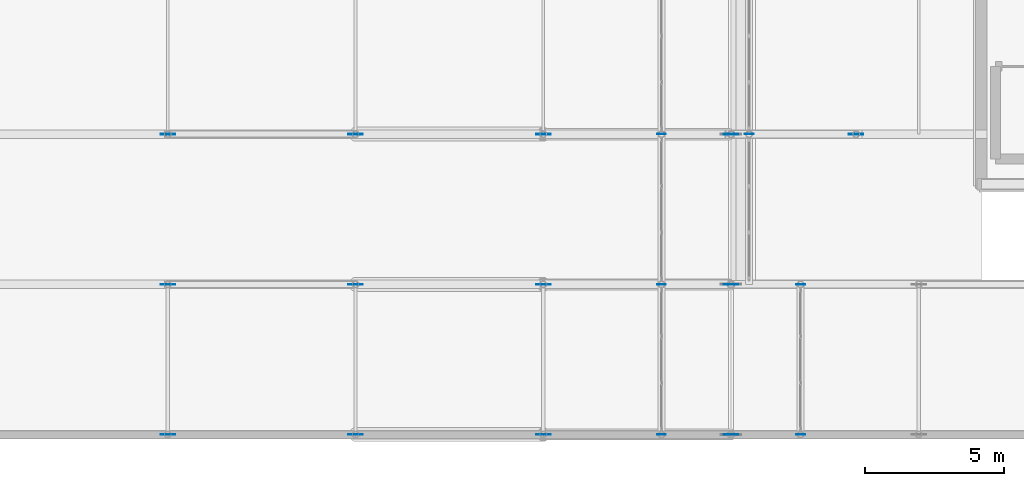
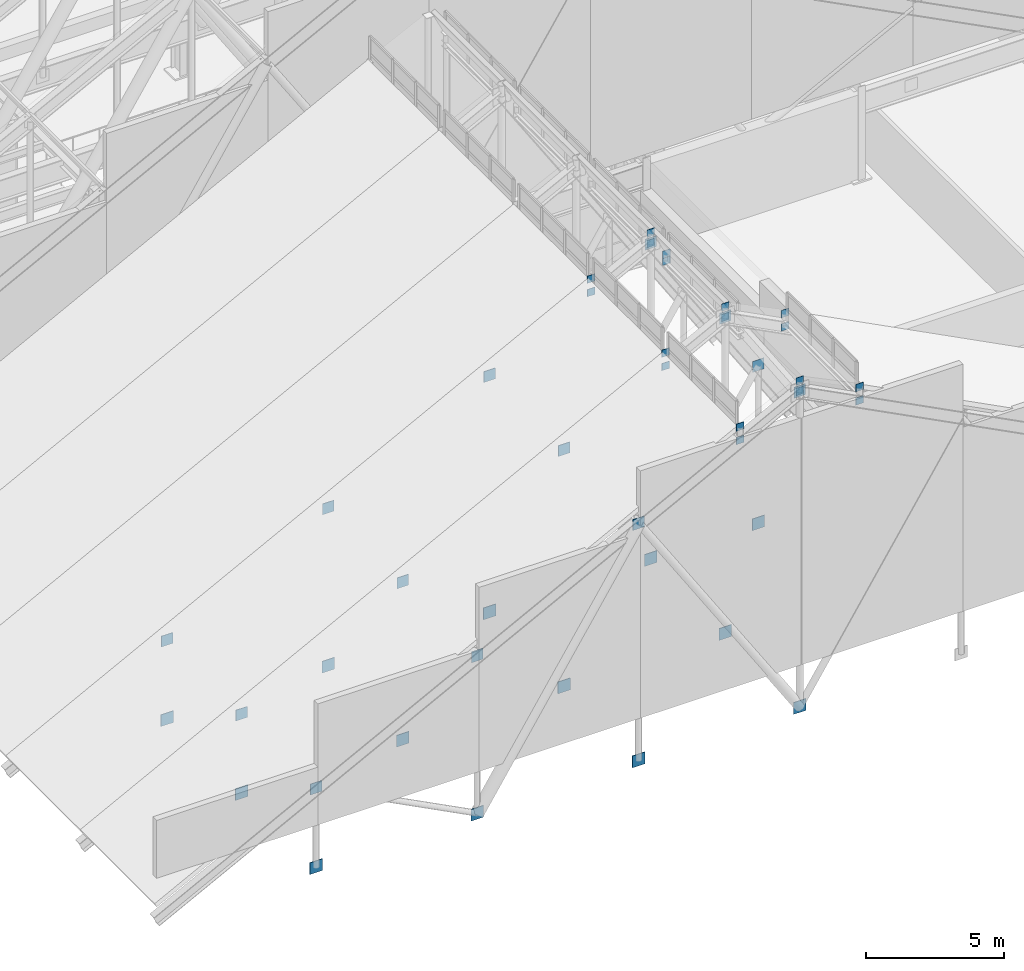
# One storey, part 73 of 84: 44 plates.
"""IFC4 building model written with IfcOpenShell, lengths in metres."""

import ifcopenshell
import ifcopenshell.guid

model = None  # the IFC model being written
_history = None  # IfcOwnerHistory: only IFC2X3 demands one
_inside = {}  # id of a spatial element -> (the spatial element, [elements in it])
_under = {}  # id of a project, library or spatial element -> (it, [spatial elements below it])
_declared = {}  # id of a project -> (the project, [libraries it declares])
_typed = {}  # id of a type object -> (the type object, [elements of that type])
_made_of = {}  # id of a material, layer set ... -> (it, [elements and type objects made of it])


def new_model(schema):
    """Start an empty IFC model of exactly this schema.

    Asked for "IFC4X3", IfcOpenShell would pick the latest addendum, in which some entities
    have other attributes; the version numbers below select the first issue.
    IFC2X3 requires an IfcOwnerHistory on every rooted entity: one is made here for all.
    """
    global model, _history
    if schema == "IFC4X3":
        model = ifcopenshell.file(schema_version=(4, 3, 0, 0))
    else:
        model = ifcopenshell.file(schema=schema)
    _inside.clear()
    _under.clear()
    _declared.clear()
    _typed.clear()
    _made_of.clear()
    _history = None
    if model.schema == "IFC2X3":
        org = make("IfcOrganization", Name="unknown")
        user = make(
            "IfcPersonAndOrganization",
            ThePerson=make("IfcPerson", FamilyName="unknown"),
            TheOrganization=org,
        )
        app = make(
            "IfcApplication",
            ApplicationDeveloper=org,
            Version="unknown",
            ApplicationFullName="unknown",
            ApplicationIdentifier="unknown",
        )
        _history = make(
            "IfcOwnerHistory",
            OwningUser=user,
            OwningApplication=app,
            ChangeAction="ADDED",
            CreationDate=0,
        )
    return model


def make(cls, **values):
    """One entity of the class cls with the attributes given. An attribute that is None is left unset."""
    return model.create_entity(
        cls, **{name: value for name, value in values.items() if value is not None}
    )


def rooted(cls, **values):
    """An entity with a GlobalId (a new one), such as an element, a storey or a relation."""
    return make(cls, GlobalId=ifcopenshell.guid.new(), OwnerHistory=_history, **values)


def si_unit(unit_type, name, prefix=None):
    """IfcSIUnit, for example si_unit("LENGTHUNIT", "METRE", prefix="MILLI")."""
    return make("IfcSIUnit", UnitType=unit_type, Prefix=prefix, Name=name)


def assignment(units):
    """IfcUnitAssignment: the units of a project."""
    return None if units is None else make("IfcUnitAssignment", Units=units)


def point(xyz):
    """IfcCartesianPoint."""
    return None if xyz is None else make("IfcCartesianPoint", Coordinates=xyz)


def direction(xyz):
    """IfcDirection."""
    return None if xyz is None else make("IfcDirection", DirectionRatios=xyz)


def frame(location, z_axis=None, x_axis=None):
    """IfcAxis2Placement3D, a coordinate frame: its origin and axes. An axis left out is left unset."""
    return make(
        "IfcAxis2Placement3D",
        Location=point(location),
        Axis=direction(z_axis),
        RefDirection=direction(x_axis),
    )


def frame_2d(location, x_axis=None):
    """IfcAxis2Placement2D, a coordinate frame in the plane: its origin and x axis."""
    return make(
        "IfcAxis2Placement2D", Location=point(location), RefDirection=direction(x_axis)
    )


def origin():
    """The frame at (0, 0, 0) with its axes left unset."""
    return frame((0.0, 0.0, 0.0))


def origin_2d():
    """The frame at (0, 0) in the plane with its x axis left unset."""
    return frame_2d((0.0, 0.0))


def place(relative_to, where):
    """IfcLocalPlacement: puts the frame where relative to a parent placement (None: the world)."""
    return make(
        "IfcLocalPlacement", PlacementRelTo=relative_to, RelativePlacement=where
    )


def context(
    kind, dimensions, precision=None, world=None, true_north=None, identifier=None
):
    """IfcGeometricRepresentationContext, for example the 3D "Model" context."""
    return make(
        "IfcGeometricRepresentationContext",
        ContextIdentifier=identifier,
        ContextType=kind,
        CoordinateSpaceDimension=dimensions,
        Precision=precision,
        WorldCoordinateSystem=world,
        TrueNorth=true_north,
    )


def subcontext(parent, identifier, kind, view, scale=None):
    """IfcGeometricRepresentationSubContext, for example "Body" below "Model"."""
    return make(
        "IfcGeometricRepresentationSubContext",
        ContextIdentifier=identifier,
        ContextType=kind,
        ParentContext=parent,
        TargetScale=scale,
        TargetView=view,
    )


def project(units=None, contexts=None):
    """IfcProject with its units and contexts."""
    return rooted(
        "IfcProject",
        Name="project",
        RepresentationContexts=contexts,
        UnitsInContext=assignment(units),
    )


def spatial(cls, under=None, at=None, **own):
    """A site, building, storey or space (cls), placed at a placement, below another one or the project."""
    s = rooted(cls, ObjectPlacement=at, **own)
    if under is not None:
        _under.setdefault(under.id(), (under, []))[1].append(s)
    return s


def profile(cls, at=None, kind="AREA", **sizes):
    """A parametric profile (cls). Its sizes go by their IFC names, for example OverallWidth=200.0."""
    return make(cls, ProfileType=kind, Position=at, **sizes)


def rectangle(**sizes):
    """IfcRectangleProfileDef."""
    return profile("IfcRectangleProfileDef", **sizes)


def extrude(swept, where, along, depth):
    """IfcExtrudedAreaSolid: the profile swept, set in the frame where, extruded along a direction by depth."""
    return make(
        "IfcExtrudedAreaSolid",
        SweptArea=swept,
        Position=where,
        ExtrudedDirection=direction(along),
        Depth=depth,
    )


def shape(context_of_items, identifier, shape_type, items):
    """IfcShapeRepresentation: the items that make up one representation, for example the "Body"."""
    return make(
        "IfcShapeRepresentation",
        ContextOfItems=context_of_items,
        RepresentationIdentifier=identifier,
        RepresentationType=shape_type,
        Items=items,
    )


def material(Name=None, Category=None):
    """IfcMaterial."""
    return make("IfcMaterial", Name=Name, Category=Category)


def layer(
    of_material, thickness, ventilated=None, Name=None, Category=None, Priority=None
):
    """IfcMaterialLayer: one layer of a wall or slab, of a material (None: an air gap)."""
    return make(
        "IfcMaterialLayer",
        Material=of_material,
        LayerThickness=thickness,
        IsVentilated=ventilated,
        Name=Name,
        Category=Category,
        Priority=Priority,
    )


def layer_set(layers, Name=None):
    """IfcMaterialLayerSet."""
    return make("IfcMaterialLayerSet", MaterialLayers=layers, LayerSetName=Name)


def made_of(thing, what):
    """Note that an element or type object is made of a material, layer set ...; save() writes the relation."""
    if what is not None:
        _made_of.setdefault(what.id(), (what, []))[1].append(thing)
    return thing


def type_object(cls, material=None, **own):
    """A type object (cls), such as IfcWallType, which elements share."""
    return made_of(rooted(cls, **own), material)


def element(
    cls,
    number,
    at=None,
    inside=None,
    cuts=None,
    type_object=None,
    material=None,
    context=None,
    identifier="Body",
    shape_type=None,
    held_by="IfcProductDefinitionShape",
    body=None,
    shapes=None,
    **own,
):
    """One element of the class cls, such as IfcWall. Its Tag is "e" and its number.

    at: its placement. inside: the storey or other place that contains it. cuts: it is an
    opening in that element (IfcRelVoidsElement). A single representation is given by context,
    identifier, shape_type and body (its items); several are given by shapes. held_by: the class
    of the entity that holds the representations. save() writes the other relations.
    """
    e = rooted(cls, Tag="e%d" % number, ObjectPlacement=at, **own)
    if body is not None:
        shapes = [shape(context, identifier, shape_type, body)]
    if shapes is not None:
        e.Representation = make(held_by, Representations=shapes)
    if inside is not None:
        _inside.setdefault(inside.id(), (inside, []))[1].append(e)
    if cuts is not None:
        rooted(
            "IfcRelVoidsElement", RelatingBuildingElement=cuts, RelatedOpeningElement=e
        )
    if type_object is not None:
        _typed.setdefault(type_object.id(), (type_object, []))[1].append(e)
    return made_of(e, material)


def aggregate(whole, parts):
    """IfcRelAggregates: a whole, such as a stair, and the parts it consists of."""
    return rooted("IfcRelAggregates", RelatingObject=whole, RelatedObjects=parts)


def save(model, path):
    """Write the relations noted so far, then the file.

    IfcRelAggregates (storeys below a building ...), IfcRelContainedInSpatialStructure (elements
    in a storey), IfcRelDefinesByType, IfcRelAssociatesMaterial and IfcRelDeclares: one each for
    every whole, place, type object, material and project.
    """
    for whole, parts in _under.values():
        aggregate(whole, parts)
    for where, things in _inside.values():
        rooted(
            "IfcRelContainedInSpatialStructure",
            RelatedElements=things,
            RelatingStructure=where,
        )
    for kind, things in _typed.values():
        rooted("IfcRelDefinesByType", RelatedObjects=things, RelatingType=kind)
    for what, things in _made_of.values():
        rooted("IfcRelAssociatesMaterial", RelatedObjects=things, RelatingMaterial=what)
    for by, libraries in _declared.values():
        rooted("IfcRelDeclares", RelatingContext=by, RelatedDefinitions=libraries)
    model.write(path)


model = new_model("IFC4")

# Units and contexts
model_context = context("Model", 3, precision=1e-05, world=origin(), true_north=direction((0.0, 1.0)))
body_context = subcontext(model_context, "Body", "Model", "MODEL_VIEW")
ifc_project = project(units=[si_unit("LENGTHUNIT", "METRE"), si_unit("AREAUNIT", "SQUARE_METRE"), si_unit("VOLUMEUNIT", "CUBIC_METRE"), si_unit("PLANEANGLEUNIT", "RADIAN"), si_unit("MASSUNIT", "GRAM", prefix="KILO")], contexts=[model_context])

# Site, building, storey
site_placement = place(None, origin())
site = spatial("IfcSite", under=ifc_project, at=site_placement, CompositionType="ELEMENT")
building_placement = place(site_placement, origin())
building = spatial("IfcBuilding", under=site, at=building_placement, Name="Sundgate Opera House", CompositionType="ELEMENT")
storey_placement = place(building_placement, frame((0.0, 0.0, 30.60009765625)))
storey = spatial("IfcBuildingStorey", under=building, at=storey_placement, Name="L06", CompositionType="ELEMENT", Elevation=30.60009765625)

# Plates
ifc_material_1 = material(Name="Steel S355J2", Category="steel")
ifc_layer_1 = layer(ifc_material_1, 0.02001953125)
ifc_layer_set_1 = layer_set([ifc_layer_1], Name="Steel S355J2")
plate_type_1 = type_object("IfcPlateType", Name="PT-GUS-20", PredefinedType="USERDEFINED", material=ifc_layer_set_1)
for number, where, z_axis, x_axis, name in (
    (1, (51.5, 33.0, 11.7470703125), (0.0, 0.0, 1.0), (1.0, 0.0, 0.0), "L06 Lantern Post Base Gusset"),
    (2, (51.5, 33.0, 12.33984375), (0.0, 0.0, 1.0), (1.0, 0.0, 0.0), "L06 Lantern Post Cap Gusset"),
    (3, (54.0, 33.0, 13.0400390625), (0.0, 0.0, 1.0), (1.0, 0.0, 0.0), "L06 Lantern Post Base Gusset"),
    (4, (54.0, 33.0, 13.5), (0.0, 0.0, 1.0), (1.0, 0.0, 0.0), "L06 Lantern Post Cap Gusset"),
    (5, (56.5, 33.0, 11.7470703125), (0.0, 0.0, 1.0), (1.0, 0.0, 0.0), "L06 Lantern Post Base Gusset"),
    (6, (56.5, 33.0, 12.33984375), (0.0, 0.0, 1.0), (1.0, 0.0, 0.0), "L06 Lantern Post Cap Gusset"),
    (7, (51.5, 38.39990234375, 11.7470703125), (0.0, 0.0, 1.0), (1.0, 0.0, 0.0), "L06 Lantern Post Base Gusset"),
    (8, (51.5, 38.39990234375, 12.33984375), (0.0, 0.0, 1.0), (1.0, 0.0, 0.0), "L06 Lantern Post Cap Gusset"),
    (9, (54.0, 38.39990234375, 13.0400390625), (0.0, 0.0, 1.0), (1.0, 0.0, 0.0), "L06 Lantern Post Base Gusset"),
    (10, (54.0, 38.39990234375, 13.5), (0.0, 0.0, 1.0), (1.0, 0.0, 0.0), "L06 Lantern Post Cap Gusset"),
    (11, (56.5, 38.39990234375, 11.7470703125), (0.0, 0.0, 1.0), (1.0, 0.0, 0.0), "L06 Lantern Post Base Gusset"),
    (12, (56.5, 38.39990234375, 12.33984375), (0.0, 0.0, 1.0), (1.0, 0.0, 0.0), "L06 Lantern Post Cap Gusset"),
    (13, (51.5, 43.800048828125, 11.7470703125), (0.0, 0.0, 1.0), (1.0, 0.0, 0.0), "L06 Lantern Post Base Gusset"),
    (14, (51.5, 43.800048828125, 12.33984375), (0.0, 0.0, 1.0), (1.0, 0.0, 0.0), "L06 Lantern Post Cap Gusset"),
    (15, (54.0, 43.800048828125, 13.0400390625), (0.0, 0.0, 1.0), (1.0, 0.0, 0.0), "L06 Lantern Post Base Gusset"),
    (16, (54.0, 43.800048828125, 13.5), (0.0, 0.0, 1.0), (1.0, 0.0, 0.0), "L06 Lantern Post Cap Gusset"),
    (17, (54.64990234375, 43.800048828125, 12.03173828125), (0.0, 0.0, 1.0), (1.0, 0.0, 0.0), "L06 Lantern Post Base Gusset"),
    (18, (54.64990234375, 43.800048828125, 12.33984375), (0.0, 0.0, 1.0), (1.0, 0.0, 0.0), "L06 Lantern Post Cap Gusset"),
):
    element("IfcPlate", number, at=place(storey_placement, frame(where, z_axis=z_axis, x_axis=x_axis)), inside=storey, type_object=plate_type_1, Name=name, ObjectType="GUSSET PLATE", PredefinedType="USERDEFINED", context=body_context, shape_type="SweptSolid", body=[
        extrude(rectangle(XDim=0.320068359375, YDim=0.02001953125, at=origin_2d()), origin(), (0.0, 0.0, 1.0), 0.320068359375),
    ])
ifc_material_2 = material(Name="Steel S355J2", Category="steel")
ifc_layer_2 = layer(ifc_material_2, 0.02490234375)
ifc_layer_set_2 = layer_set([ifc_layer_2], Name="Steel S355J2")
plate_type_2 = type_object("IfcPlateType", Name="PT-GUS-25", PredefinedType="USERDEFINED", material=ifc_layer_set_2)
plate_1_placement = place(storey_placement, frame((33.75, 33.0, 2.489990234375), z_axis=(0.0, 0.0, 1.0), x_axis=(1.0, 0.0, 0.0)))
element("IfcPlate", 19, at=plate_1_placement, inside=storey, type_object=plate_type_2, Name="L06 Truss Upper Node Gusset Plate", ObjectType="GUSSET PLATE", PredefinedType="USERDEFINED", context=body_context, shape_type="SweptSolid", body=[
    extrude(rectangle(XDim=0.47998046875, YDim=0.02490234375, at=origin_2d()), origin(), (0.0, 0.0, 1.0), 0.47998046875),
])
plate_2_placement = place(storey_placement, frame((40.5, 33.0, -1.02001953125), z_axis=(0.0, 0.0, 1.0), x_axis=(1.0, 0.0, 0.0)))
element("IfcPlate", 20, at=plate_2_placement, inside=storey, type_object=plate_type_2, Name="L06 Truss Lower Node Gusset Plate", ObjectType="GUSSET PLATE", PredefinedType="USERDEFINED", context=body_context, shape_type="SweptSolid", body=[
    extrude(rectangle(XDim=0.52001953125, YDim=0.02490234375, at=origin_2d()), origin(), (0.0, 0.0, 1.0), 0.52001953125),
])
for number, where, z_axis, x_axis, name in (
    (21, (40.5, 33.0, 5.97998046875), (0.0, 0.0, 1.0), (1.0, 0.0, 0.0), "L06 Truss Upper Node Gusset Plate"),
    (22, (47.25, 33.0, 9.469970703125), (0.0, 0.0, 1.0), (1.0, 0.0, 0.0), "L06 Truss Upper Node Gusset Plate"),
):
    element("IfcPlate", number, at=place(storey_placement, frame(where, z_axis=z_axis, x_axis=x_axis)), inside=storey, type_object=plate_type_2, Name=name, ObjectType="GUSSET PLATE", PredefinedType="USERDEFINED", context=body_context, shape_type="SweptSolid", body=[
        extrude(rectangle(XDim=0.47998046875, YDim=0.02490234375, at=origin_2d()), origin(), (0.0, 0.0, 1.0), 0.47998046875),
    ])
plate_3_placement = place(storey_placement, frame((54.0, 33.0, -1.02001953125), z_axis=(0.0, 0.0, 1.0), x_axis=(1.0, 0.0, 0.0)))
element("IfcPlate", 23, at=plate_3_placement, inside=storey, type_object=plate_type_2, Name="L06 Truss Lower Node Gusset Plate", ObjectType="GUSSET PLATE", PredefinedType="USERDEFINED", context=body_context, shape_type="SweptSolid", body=[
    extrude(rectangle(XDim=0.52001953125, YDim=0.02490234375, at=origin_2d()), origin(), (0.0, 0.0, 1.0), 0.52001953125),
])
for number, where, z_axis, x_axis, name in (
    (24, (54.0, 33.0, 12.9599609375), (0.0, 0.0, 1.0), (1.0, 0.0, 0.0), "L06 Truss Upper Node Gusset Plate"),
    (25, (33.75, 38.39990234375, 2.489990234375), (0.0, 0.0, 1.0), (1.0, 0.0, 0.0), "L06 Truss Upper Node Gusset Plate"),
):
    element("IfcPlate", number, at=place(storey_placement, frame(where, z_axis=z_axis, x_axis=x_axis)), inside=storey, type_object=plate_type_2, Name=name, ObjectType="GUSSET PLATE", PredefinedType="USERDEFINED", context=body_context, shape_type="SweptSolid", body=[
        extrude(rectangle(XDim=0.47998046875, YDim=0.02490234375, at=origin_2d()), origin(), (0.0, 0.0, 1.0), 0.47998046875),
    ])
plate_4_placement = place(storey_placement, frame((40.5, 38.39990234375, -1.02001953125), z_axis=(0.0, 0.0, 1.0), x_axis=(1.0, 0.0, 0.0)))
element("IfcPlate", 26, at=plate_4_placement, inside=storey, type_object=plate_type_2, Name="L06 Truss Lower Node Gusset Plate", ObjectType="GUSSET PLATE", PredefinedType="USERDEFINED", context=body_context, shape_type="SweptSolid", body=[
    extrude(rectangle(XDim=0.52001953125, YDim=0.02490234375, at=origin_2d()), origin(), (0.0, 0.0, 1.0), 0.52001953125),
])
for number, where, z_axis, x_axis, name in (
    (27, (40.5, 38.39990234375, 5.97998046875), (0.0, 0.0, 1.0), (1.0, 0.0, 0.0), "L06 Truss Upper Node Gusset Plate"),
    (28, (47.25, 38.39990234375, 9.469970703125), (0.0, 0.0, 1.0), (1.0, 0.0, 0.0), "L06 Truss Upper Node Gusset Plate"),
):
    element("IfcPlate", number, at=place(storey_placement, frame(where, z_axis=z_axis, x_axis=x_axis)), inside=storey, type_object=plate_type_2, Name=name, ObjectType="GUSSET PLATE", PredefinedType="USERDEFINED", context=body_context, shape_type="SweptSolid", body=[
        extrude(rectangle(XDim=0.47998046875, YDim=0.02490234375, at=origin_2d()), origin(), (0.0, 0.0, 1.0), 0.47998046875),
    ])
plate_5_placement = place(storey_placement, frame((54.0, 38.39990234375, -1.02001953125), z_axis=(0.0, 0.0, 1.0), x_axis=(1.0, 0.0, 0.0)))
element("IfcPlate", 29, at=plate_5_placement, inside=storey, type_object=plate_type_2, Name="L06 Truss Lower Node Gusset Plate", ObjectType="GUSSET PLATE", PredefinedType="USERDEFINED", context=body_context, shape_type="SweptSolid", body=[
    extrude(rectangle(XDim=0.52001953125, YDim=0.02490234375, at=origin_2d()), origin(), (0.0, 0.0, 1.0), 0.52001953125),
])
for number, where, z_axis, x_axis, name in (
    (30, (54.0, 38.39990234375, 12.9599609375), (0.0, 0.0, 1.0), (1.0, 0.0, 0.0), "L06 Truss Upper Node Gusset Plate"),
    (31, (33.75, 43.800048828125, 2.489990234375), (0.0, 0.0, 1.0), (1.0, 0.0, 0.0), "L06 Truss Upper Node Gusset Plate"),
):
    element("IfcPlate", number, at=place(storey_placement, frame(where, z_axis=z_axis, x_axis=x_axis)), inside=storey, type_object=plate_type_2, Name=name, ObjectType="GUSSET PLATE", PredefinedType="USERDEFINED", context=body_context, shape_type="SweptSolid", body=[
        extrude(rectangle(XDim=0.47998046875, YDim=0.02490234375, at=origin_2d()), origin(), (0.0, 0.0, 1.0), 0.47998046875),
    ])
plate_6_placement = place(storey_placement, frame((40.5, 43.800048828125, -1.02001953125), z_axis=(0.0, 0.0, 1.0), x_axis=(1.0, 0.0, 0.0)))
element("IfcPlate", 32, at=plate_6_placement, inside=storey, type_object=plate_type_2, Name="L06 Truss Lower Node Gusset Plate", ObjectType="GUSSET PLATE", PredefinedType="USERDEFINED", context=body_context, shape_type="SweptSolid", body=[
    extrude(rectangle(XDim=0.52001953125, YDim=0.02490234375, at=origin_2d()), origin(), (0.0, 0.0, 1.0), 0.52001953125),
])
for number, where, z_axis, x_axis, name in (
    (33, (40.5, 43.800048828125, 5.97998046875), (0.0, 0.0, 1.0), (1.0, 0.0, 0.0), "L06 Truss Upper Node Gusset Plate"),
    (34, (47.25, 43.800048828125, 9.469970703125), (0.0, 0.0, 1.0), (1.0, 0.0, 0.0), "L06 Truss Upper Node Gusset Plate"),
):
    element("IfcPlate", number, at=place(storey_placement, frame(where, z_axis=z_axis, x_axis=x_axis)), inside=storey, type_object=plate_type_2, Name=name, ObjectType="GUSSET PLATE", PredefinedType="USERDEFINED", context=body_context, shape_type="SweptSolid", body=[
        extrude(rectangle(XDim=0.47998046875, YDim=0.02490234375, at=origin_2d()), origin(), (0.0, 0.0, 1.0), 0.47998046875),
    ])
plate_7_placement = place(storey_placement, frame((54.0, 43.800048828125, -1.02001953125), z_axis=(0.0, 0.0, 1.0), x_axis=(1.0, 0.0, 0.0)))
element("IfcPlate", 35, at=plate_7_placement, inside=storey, type_object=plate_type_2, Name="L06 Truss Lower Node Gusset Plate", ObjectType="GUSSET PLATE", PredefinedType="USERDEFINED", context=body_context, shape_type="SweptSolid", body=[
    extrude(rectangle(XDim=0.52001953125, YDim=0.02490234375, at=origin_2d()), origin(), (0.0, 0.0, 1.0), 0.52001953125),
])
for number, where, z_axis, x_axis, name in (
    (36, (54.0, 43.800048828125, 12.9599609375), (0.0, 0.0, 1.0), (1.0, 0.0, 0.0), "L06 Truss Upper Node Gusset Plate"),
    (37, (58.5, 43.800048828125, 5.97998046875), (0.0, 0.0, 1.0), (1.0, 0.0, 0.0), "L06 Truss Upper Node Gusset Plate"),
):
    element("IfcPlate", number, at=place(storey_placement, frame(where, z_axis=z_axis, x_axis=x_axis)), inside=storey, type_object=plate_type_2, Name=name, ObjectType="GUSSET PLATE", PredefinedType="USERDEFINED", context=body_context, shape_type="SweptSolid", body=[
        extrude(rectangle(XDim=0.47998046875, YDim=0.02490234375, at=origin_2d()), origin(), (0.0, 0.0, 1.0), 0.47998046875),
    ])
ifc_material_3 = material(Name="Steel S355J2", Category="steel")
ifc_layer_3 = layer(ifc_material_3, 0.028076171875)
ifc_layer_set_3 = layer_set([ifc_layer_3], Name="Steel S355J2")
plate_type_3 = type_object("IfcPlateType", Name="PT-GUS-28", PredefinedType="USERDEFINED", material=ifc_layer_set_3)
for number, where, z_axis, x_axis, name in (
    (38, (33.75, 33.0, -1.02001953125), (0.0, 0.0, 1.0), (1.0, 0.0, 0.0), "L06 Truss Lower Node Gusset Plate"),
    (39, (47.25, 33.0, -1.02001953125), (0.0, 0.0, 1.0), (1.0, 0.0, 0.0), "L06 Truss Lower Node Gusset Plate"),
    (40, (33.75, 38.39990234375, -1.02001953125), (0.0, 0.0, 1.0), (1.0, 0.0, 0.0), "L06 Truss Lower Node Gusset Plate"),
    (41, (47.25, 38.39990234375, -1.02001953125), (0.0, 0.0, 1.0), (1.0, 0.0, 0.0), "L06 Truss Lower Node Gusset Plate"),
    (42, (33.75, 43.800048828125, -1.02001953125), (0.0, 0.0, 1.0), (1.0, 0.0, 0.0), "L06 Truss Lower Node Gusset Plate"),
    (43, (47.25, 43.800048828125, -1.02001953125), (0.0, 0.0, 1.0), (1.0, 0.0, 0.0), "L06 Truss Lower Node Gusset Plate"),
    (44, (58.5, 43.800048828125, -1.02001953125), (0.0, 0.0, 1.0), (1.0, 0.0, 0.0), "L06 Truss Lower Node Gusset Plate"),
):
    element("IfcPlate", number, at=place(storey_placement, frame(where, z_axis=z_axis, x_axis=x_axis)), inside=storey, type_object=plate_type_3, Name=name, ObjectType="GUSSET PLATE", PredefinedType="USERDEFINED", context=body_context, shape_type="SweptSolid", body=[
        extrude(rectangle(XDim=0.52001953125, YDim=0.028076171875, at=origin_2d()), origin(), (0.0, 0.0, 1.0), 0.52001953125),
    ])

save(model, "model.ifc")
